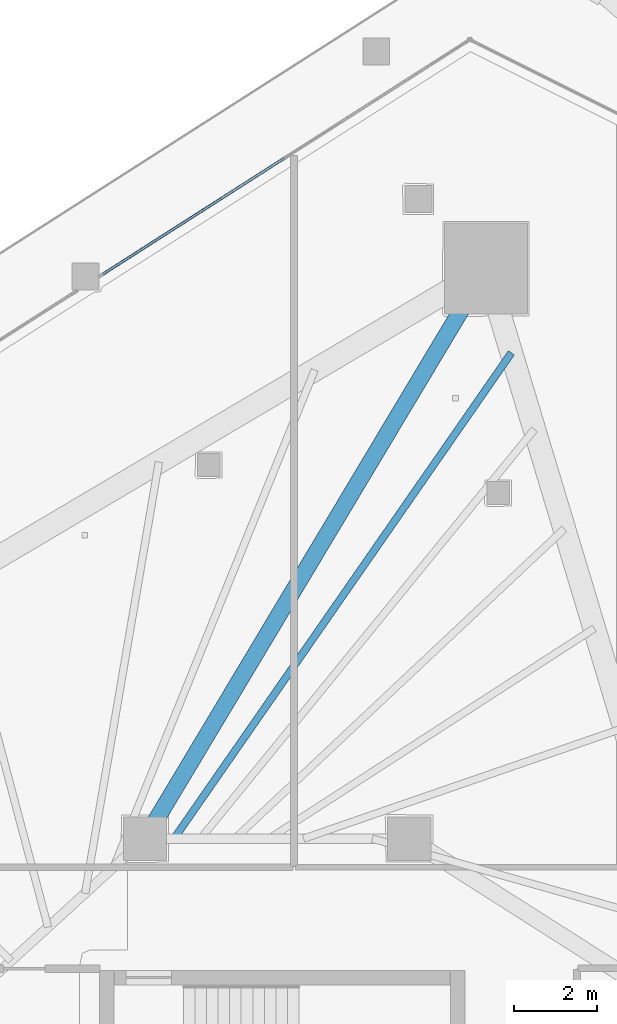
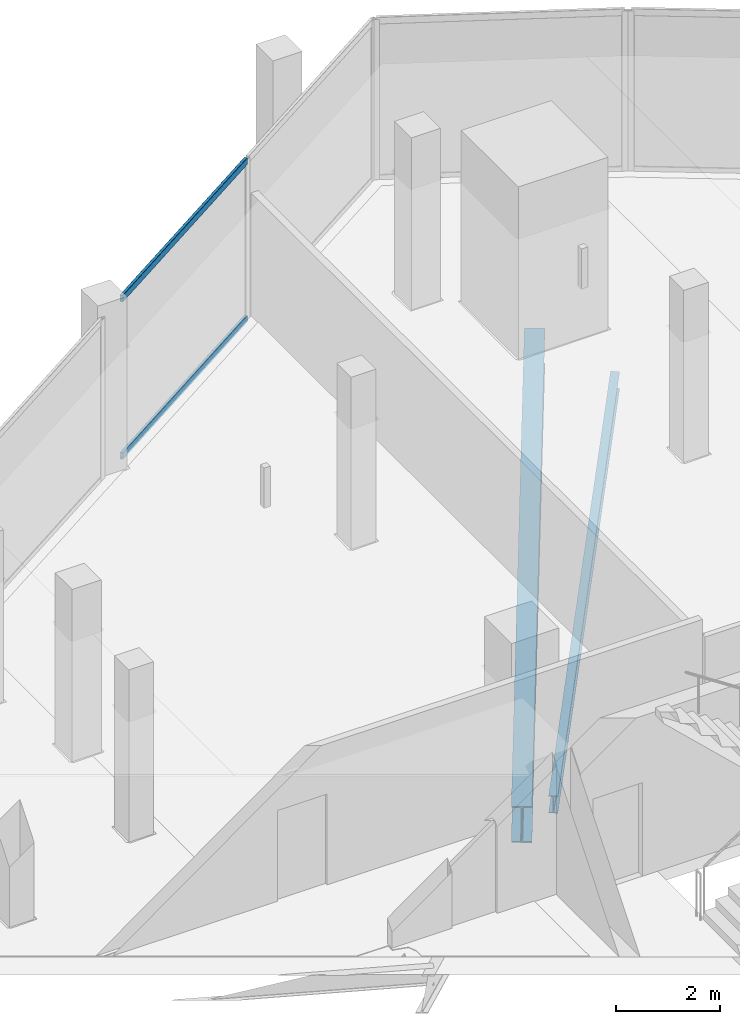
# One storey, part 21 of 42: 2 beams, 2 members, 1 element without a shape of its own.
"""IFC4 building model written with IfcOpenShell, lengths in metres."""

from ifc_helpers import new_model, si_unit, direction, frame, origin, origin_2d, place, context, subcontext, project, spatial, hollow_rectangle, i_section, extrude, material, layer, layer_set, material_profile, profile_set, type_object, element, aggregate, save


model = new_model("IFC4")

# Units and contexts
model_context = context("Model", 3, precision=1e-05, world=origin(), true_north=direction((0.0, 1.0)))
body_context = subcontext(model_context, "Body", "Model", "MODEL_VIEW")
ifc_project = project(units=[si_unit("LENGTHUNIT", "METRE"), si_unit("AREAUNIT", "SQUARE_METRE"), si_unit("VOLUMEUNIT", "CUBIC_METRE"), si_unit("PLANEANGLEUNIT", "RADIAN"), si_unit("MASSUNIT", "GRAM", prefix="KILO")], contexts=[model_context])

# Site, building, storey
site_placement = place(None, origin())
site = spatial("IfcSite", under=ifc_project, at=site_placement, CompositionType="ELEMENT")
building_placement = place(site_placement, origin())
building = spatial("IfcBuilding", under=site, at=building_placement, Name="Qorvath Tower", CompositionType="ELEMENT")
storey_placement = place(building_placement, frame((0.0, 0.0, 117.89990234375)))
storey = spatial("IfcBuildingStorey", under=building, at=storey_placement, Name="L26", CompositionType="ELEMENT", Elevation=117.89990234375)

# Beams
ifc_material_1 = material(Name="Steel ASTM A992 Grade 50", Category="steel")
ifc_material_profile_1 = material_profile(ifc_material_1, i_section(OverallWidth=0.39892578125, OverallDepth=0.85498046875, WebThickness=0.018310546875, FlangeThickness=0.029296875, FilletRadius=0.02001953125, at=origin_2d()), Name="W33x201")
ifc_profile_set_1 = profile_set([ifc_material_profile_1], Name="Steel ASTM A992 Grade 50")
beam_type_1 = type_object("IfcBeamType", Name="BM-FG2", PredefinedType="BEAM", material=ifc_profile_set_1)
beam_1_placement = place(storey_placement, frame((-23.60009765625, 11.449951171875, -0.707275390625), z_axis=(0.513497213955, 0.85809126045, 0.0), x_axis=(-0.85809126045, 0.513497213955, 0.0)))
element("IfcBeam", 1, at=beam_1_placement, inside=storey, type_object=beam_type_1, Name="Radial Floor Girder CC1-MC6 L26", PredefinedType="BEAM", context=body_context, shape_type="SweptSolid", body=[
    extrude(i_section(OverallWidth=0.39892578125, OverallDepth=0.85498046875, WebThickness=0.018310546875, FlangeThickness=0.029296875, FilletRadius=0.02001953125, at=origin_2d()), origin(), (0.0, 0.0, 1.0), 16.07763671875),
])
ifc_material_2 = material(Name="Steel ASTM A992 Grade 50", Category="steel")
ifc_material_profile_2 = material_profile(ifc_material_2, i_section(OverallWidth=0.177978515625, OverallDepth=0.406005859375, WebThickness=0.0078125, FlangeThickness=0.0126953125, FilletRadius=0.010986328125, at=origin_2d()), Name="W16x40")
ifc_profile_set_2 = profile_set([ifc_material_profile_2], Name="Steel ASTM A992 Grade 50")
beam_type_2 = type_object("IfcBeamType", Name="BM-FJ3", PredefinedType="JOIST", material=ifc_profile_set_2)
beam_2_placement = place(storey_placement, frame((-22.89599609375, 11.449951171875, -0.48291015625), z_axis=(0.570366725248, 0.821390162304, 0.0), x_axis=(-0.821390162304, 0.570366725248, 0.0)))
element("IfcBeam", 2, at=beam_2_placement, inside=storey, type_object=beam_type_2, Name="Composite Floor Joist NE7 L26", PredefinedType="JOIST", context=body_context, shape_type="SweptSolid", body=[
    extrude(i_section(OverallWidth=0.177978515625, OverallDepth=0.406005859375, WebThickness=0.0078125, FlangeThickness=0.0126953125, FilletRadius=0.010986328125, at=origin_2d()), origin(), (0.0, 0.0, 1.0), 14.3154296875),
])

# Curtain wall, members
ifc_material_3 = material(Name="Anodised aluminium and triple low-E glass", Category="aluminium")
ifc_layer = layer(ifc_material_3, 0.179931640625)
ifc_layer_set = layer_set([ifc_layer], Name="CW-SYS-2")
curtain_wall_type = type_object("IfcCurtainWallType", Name="CW-SYS-2", PredefinedType="NOTDEFINED", material=ifc_layer_set)
curtain_wall_placement = place(storey_placement, origin())
curtain_wall = element("IfcCurtainWall", 3, at=curtain_wall_placement, inside=storey, type_object=curtain_wall_type, Name="Curtain Wall CW-2 CW-T-L26-16.1", PredefinedType="NOTDEFINED")
ifc_material_4 = material(Name="Anodised aluminium 6063-T6", Category="aluminium")
ifc_material_profile_3 = material_profile(ifc_material_4, hollow_rectangle(XDim=0.06494140625, YDim=0.159912109375, WallThickness=0.00341796875, InnerFilletRadius=0.00341796875, OuterFilletRadius=0.007080078125, at=origin_2d()), Name="CWT 160x65")
ifc_profile_set_3 = profile_set([ifc_material_profile_3], Name="Anodised aluminium 6063-T6")
member_type = type_object("IfcMemberType", Name="CWT-160", PredefinedType="USERDEFINED", material=ifc_profile_set_3)
member_1_placement = place(storey_placement, frame((-20.2294921875, 27.91796875, 0.032470703125), z_axis=(-0.842602796166, -0.538535540047, 0.0), x_axis=(0.538535540047, -0.842602796166, 0.0)))
member_1 = element("IfcMember", 4, at=member_1_placement, type_object=member_type, Name="CW-2 transom 2.1", ObjectType="TRANSOM", PredefinedType="USERDEFINED", context=body_context, shape_type="SweptSolid", body=[
    extrude(hollow_rectangle(XDim=0.06494140625, YDim=0.159912109375, WallThickness=0.00341796875, InnerFilletRadius=0.00341796875, OuterFilletRadius=0.007080078125, at=origin_2d()), origin(), (0.0, 0.0, 1.0), 5.2021484375),
])
member_2_placement = place(storey_placement, frame((-20.2294921875, 27.91796875, 3.737548828125), z_axis=(-0.842602796166, -0.538535540047, 0.0), x_axis=(0.538535540047, -0.842602796166, 0.0)))
member_2 = element("IfcMember", 5, at=member_2_placement, type_object=member_type, Name="CW-2 transom 2.2", ObjectType="TRANSOM", PredefinedType="USERDEFINED", context=body_context, shape_type="SweptSolid", body=[
    extrude(hollow_rectangle(XDim=0.06494140625, YDim=0.159912109375, WallThickness=0.00341796875, InnerFilletRadius=0.00341796875, OuterFilletRadius=0.007080078125, at=origin_2d()), origin(), (0.0, 0.0, 1.0), 5.2021484375),
])
aggregate(curtain_wall, [member_1, member_2])

save(model, "model.ifc")
